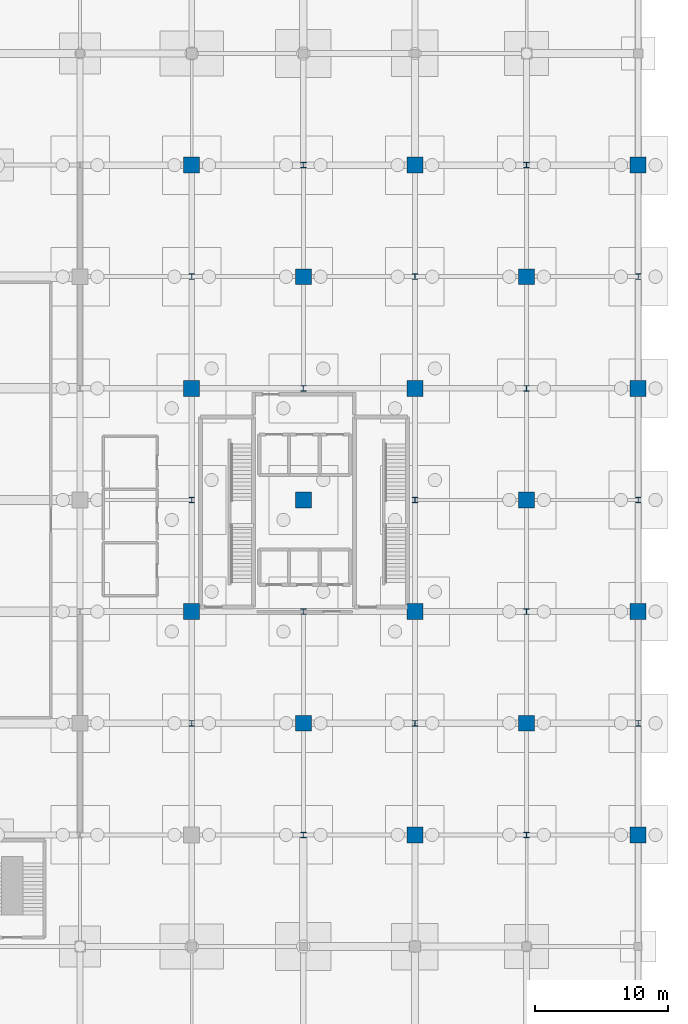
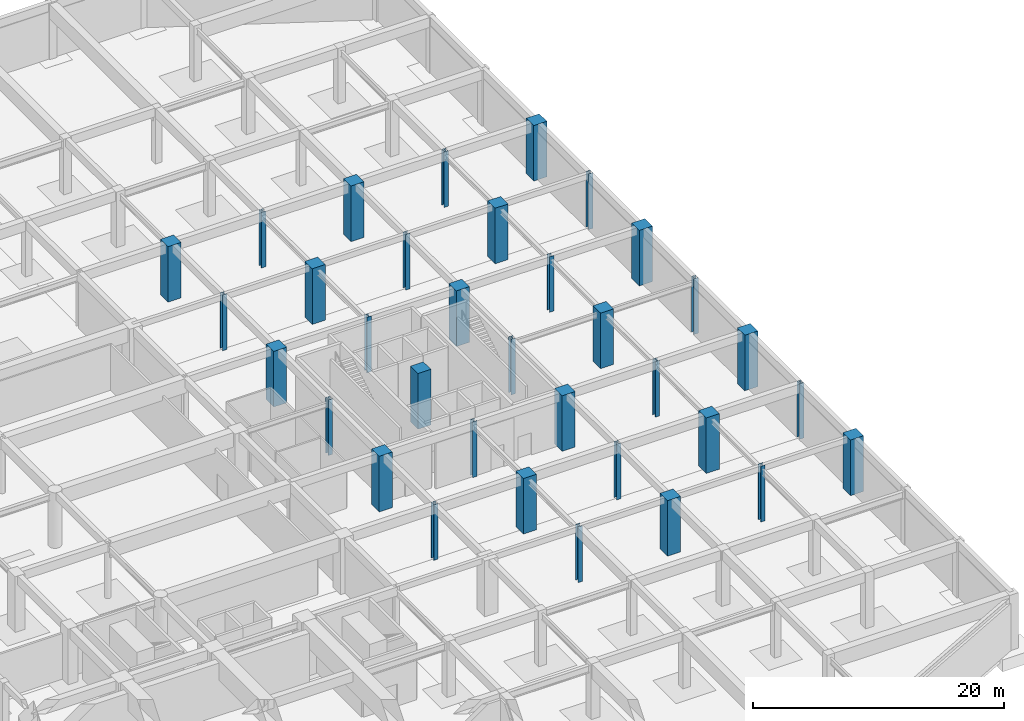
# One storey, part 9 of 26: 34 columns.
"""IFC4 building model written with IfcOpenShell, lengths in metres."""

from ifc_helpers import new_model, si_unit, direction, frame, origin, origin_2d, place, context, subcontext, project, spatial, rectangle, i_section, extrude, material, material_profile, profile_set, type_object, element, save


model = new_model("IFC4")

# Units and contexts
model_context = context("Model", 3, precision=1e-05, world=origin(), true_north=direction((0.0, 1.0)))
body_context = subcontext(model_context, "Body", "Model", "MODEL_VIEW")
ifc_project = project(units=[si_unit("LENGTHUNIT", "METRE"), si_unit("AREAUNIT", "SQUARE_METRE"), si_unit("VOLUMEUNIT", "CUBIC_METRE"), si_unit("PLANEANGLEUNIT", "RADIAN"), si_unit("MASSUNIT", "GRAM", prefix="KILO")], contexts=[model_context])

# Site, building, storey
site_placement = place(None, origin())
site = spatial("IfcSite", under=ifc_project, at=site_placement, CompositionType="ELEMENT")
building_placement = place(site_placement, origin())
building = spatial("IfcBuilding", under=site, at=building_placement, Name="Xuanlan Plaza Opera House", CompositionType="ELEMENT")
storey_placement = place(building_placement, frame((0.0, 0.0, -5.39990234375)))
storey = spatial("IfcBuildingStorey", under=building, at=storey_placement, Name="B01", CompositionType="ELEMENT", Elevation=-5.39990234375)

# Columns
ifc_material_1 = material(Name="Concrete C60", Category="concrete")
ifc_material_profile_1 = material_profile(ifc_material_1, rectangle(XDim=1.199951171875, YDim=1.199951171875, at=origin_2d()), Name="RC-COL 1200x1200")
ifc_profile_set_1 = profile_set([ifc_material_profile_1], Name="Concrete C60")
column_type_1 = type_object("IfcColumnType", Name="STR-COL-C-02", PredefinedType="COLUMN", material=ifc_profile_set_1)
for number, where, z_axis, x_axis, name in (
    (1, (134.39990234375, 50.39990234375, 0.0), (0.0, 0.0, 1.0), (1.0, 0.0, 0.0), "Column B01 17-G"),
    (2, (134.39990234375, 67.199951171875, 0.0), (0.0, 0.0, 1.0), (1.0, 0.0, 0.0), "Column B01 17-I"),
    (3, (134.39990234375, 84.0, 0.0), (0.0, 0.0, 1.0), (1.0, 0.0, 0.0), "Column B01 17-K"),
    (4, (142.800048828125, 42.0, 0.0), (0.0, 0.0, 1.0), (1.0, 0.0, 0.0), "Column B01 18-F"),
    (5, (142.800048828125, 58.800048828125, 0.0), (0.0, 0.0, 1.0), (1.0, 0.0, 0.0), "Column B01 18-H"),
    (6, (142.800048828125, 75.60009765625, 0.0), (0.0, 0.0, 1.0), (1.0, 0.0, 0.0), "Column B01 18-J"),
    (7, (151.199951171875, 33.60009765625, 0.0), (0.0, 0.0, 1.0), (1.0, 0.0, 0.0), "Column B01 19-E"),
    (8, (151.199951171875, 50.39990234375, 0.0), (0.0, 0.0, 1.0), (1.0, 0.0, 0.0), "Column B01 19-G"),
    (9, (151.199951171875, 67.199951171875, 0.0), (0.0, 0.0, 1.0), (1.0, 0.0, 0.0), "Column B01 19-I"),
    (10, (151.199951171875, 84.0, 0.0), (0.0, 0.0, 1.0), (1.0, 0.0, 0.0), "Column B01 19-K"),
    (11, (159.60009765625, 42.0, 0.0), (0.0, 0.0, 1.0), (1.0, 0.0, 0.0), "Column B01 20-F"),
    (12, (159.60009765625, 58.800048828125, 0.0), (0.0, 0.0, 1.0), (1.0, 0.0, 0.0), "Column B01 20-H"),
    (13, (159.60009765625, 75.60009765625, 0.0), (0.0, 0.0, 1.0), (1.0, 0.0, 0.0), "Column B01 20-J"),
    (14, (168.0, 33.60009765625, 0.0), (0.0, 0.0, 1.0), (1.0, 0.0, 0.0), "Column B01 21-E"),
    (15, (168.0, 50.39990234375, 0.0), (0.0, 0.0, 1.0), (1.0, 0.0, 0.0), "Column B01 21-G"),
    (16, (168.0, 67.199951171875, 0.0), (0.0, 0.0, 1.0), (1.0, 0.0, 0.0), "Column B01 21-I"),
    (17, (168.0, 84.0, 0.0), (0.0, 0.0, 1.0), (1.0, 0.0, 0.0), "Column B01 21-K"),
):
    element("IfcColumn", number, at=place(storey_placement, frame(where, z_axis=z_axis, x_axis=x_axis)), inside=storey, type_object=column_type_1, Name=name, PredefinedType="COLUMN", context=body_context, shape_type="SweptSolid", body=[
        extrude(rectangle(XDim=1.199951171875, YDim=1.199951171875, at=origin_2d()), origin(), (0.0, 0.0, 1.0), 5.39990234375),
    ])
ifc_material_2 = material(Name="Steel Q390B", Category="steel")
ifc_material_profile_2 = material_profile(ifc_material_2, i_section(OverallWidth=0.405029296875, OverallDepth=0.4140625, WebThickness=0.01806640625, FlangeThickness=0.028076171875, FilletRadius=0.02197265625, at=origin_2d()), Name="HW 414x405x18x28")
ifc_profile_set_2 = profile_set([ifc_material_profile_2], Name="Steel Q390B")
column_type_2 = type_object("IfcColumnType", Name="STR-COL-C-13", PredefinedType="COLUMN", material=ifc_profile_set_2)
for number, where, z_axis, x_axis, name in (
    (18, (134.39990234375, 42.0, 0.0), (0.0, 0.0, 1.0), (1.0, 0.0, 0.0), "Column B01 17-F"),
    (19, (134.39990234375, 58.800048828125, 0.0), (0.0, 0.0, 1.0), (1.0, 0.0, 0.0), "Column B01 17-H"),
    (20, (134.39990234375, 75.60009765625, 0.0), (0.0, 0.0, 1.0), (1.0, 0.0, 0.0), "Column B01 17-J"),
    (21, (142.800048828125, 33.60009765625, 0.0), (0.0, 0.0, 1.0), (1.0, 0.0, 0.0), "Column B01 18-E"),
    (22, (142.800048828125, 50.39990234375, 0.0), (0.0, 0.0, 1.0), (1.0, 0.0, 0.0), "Column B01 18-G"),
    (23, (142.800048828125, 67.199951171875, 0.0), (0.0, 0.0, 1.0), (1.0, 0.0, 0.0), "Column B01 18-I"),
    (24, (142.800048828125, 84.0, 0.0), (0.0, 0.0, 1.0), (1.0, 0.0, 0.0), "Column B01 18-K"),
    (25, (151.199951171875, 42.0, 0.0), (0.0, 0.0, 1.0), (1.0, 0.0, 0.0), "Column B01 19-F"),
    (26, (151.199951171875, 58.800048828125, 0.0), (0.0, 0.0, 1.0), (1.0, 0.0, 0.0), "Column B01 19-H"),
    (27, (151.199951171875, 75.60009765625, 0.0), (0.0, 0.0, 1.0), (1.0, 0.0, 0.0), "Column B01 19-J"),
    (28, (159.60009765625, 33.60009765625, 0.0), (0.0, 0.0, 1.0), (1.0, 0.0, 0.0), "Column B01 20-E"),
    (29, (159.60009765625, 50.39990234375, 0.0), (0.0, 0.0, 1.0), (1.0, 0.0, 0.0), "Column B01 20-G"),
    (30, (159.60009765625, 67.199951171875, 0.0), (0.0, 0.0, 1.0), (1.0, 0.0, 0.0), "Column B01 20-I"),
    (31, (159.60009765625, 84.0, 0.0), (0.0, 0.0, 1.0), (1.0, 0.0, 0.0), "Column B01 20-K"),
    (32, (168.0, 42.0, 0.0), (0.0, 0.0, 1.0), (1.0, 0.0, 0.0), "Column B01 21-F"),
    (33, (168.0, 58.800048828125, 0.0), (0.0, 0.0, 1.0), (1.0, 0.0, 0.0), "Column B01 21-H"),
    (34, (168.0, 75.60009765625, 0.0), (0.0, 0.0, 1.0), (1.0, 0.0, 0.0), "Column B01 21-J"),
):
    element("IfcColumn", number, at=place(storey_placement, frame(where, z_axis=z_axis, x_axis=x_axis)), inside=storey, type_object=column_type_2, Name=name, PredefinedType="COLUMN", context=body_context, shape_type="SweptSolid", body=[
        extrude(i_section(OverallWidth=0.405029296875, OverallDepth=0.4140625, WebThickness=0.01806640625, FlangeThickness=0.028076171875, FilletRadius=0.02197265625, at=origin_2d()), origin(), (0.0, 0.0, 1.0), 5.39990234375),
    ])

save(model, "model.ifc")
